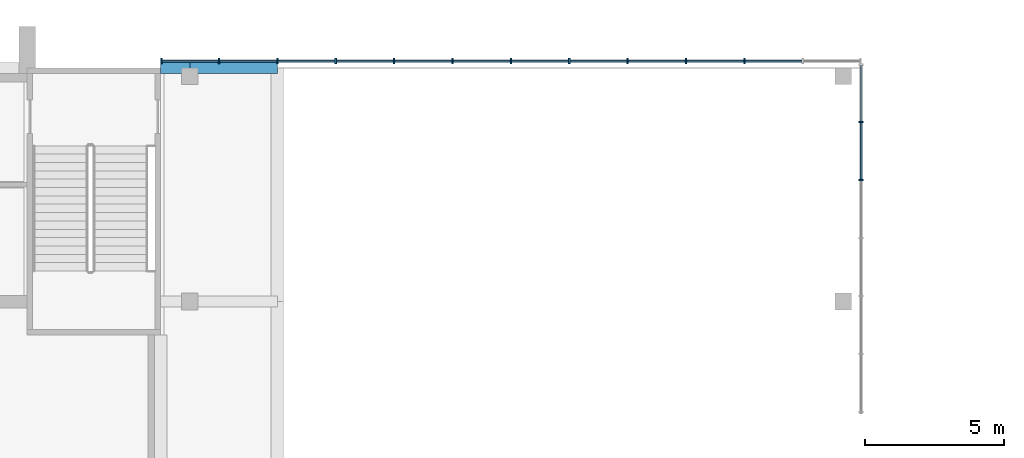
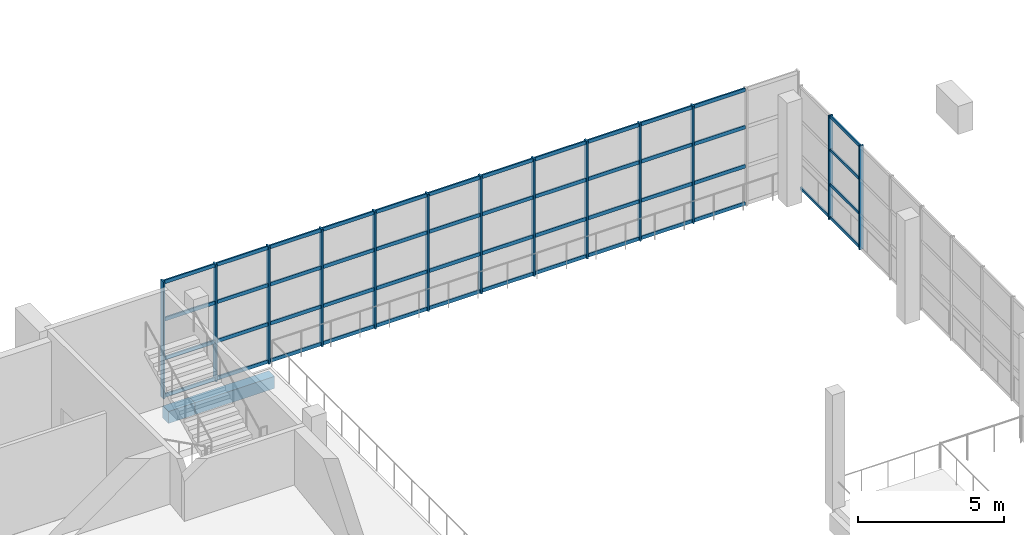
# One storey, part 24 of 67: 62 members, 2 beams, 2 elements without a shape of their own.
"""IFC4 building model written with IfcOpenShell, lengths in metres."""

from ifc_helpers import new_model, si_unit, direction, frame, origin, origin_2d, place, context, subcontext, project, spatial, rectangle, extrude, material, layer, layer_set, material_profile, profile_set, type_object, element, aggregate, save


model = new_model("IFC4")

# Units and contexts
model_context = context("Model", 3, precision=1e-05, world=origin(), true_north=direction((0.0, 1.0)))
body_context = subcontext(model_context, "Body", "Model", "MODEL_VIEW")
ifc_project = project(units=[si_unit("LENGTHUNIT", "METRE"), si_unit("AREAUNIT", "SQUARE_METRE"), si_unit("VOLUMEUNIT", "CUBIC_METRE"), si_unit("PLANEANGLEUNIT", "RADIAN"), si_unit("MASSUNIT", "GRAM", prefix="KILO")], contexts=[model_context])

# Site, building, storey
site_placement = place(None, origin())
site = spatial("IfcSite", under=ifc_project, at=site_placement, CompositionType="ELEMENT")
building_placement = place(site_placement, origin())
building = spatial("IfcBuilding", under=site, at=building_placement, Name="Kiln Court Media Centre", CompositionType="ELEMENT")
storey_placement = place(building_placement, frame((0.0, 0.0, 19.800048828125)))
storey = spatial("IfcBuildingStorey", under=building, at=storey_placement, Name="L04", CompositionType="ELEMENT", Elevation=19.800048828125)

# Curtain wall, members
ifc_material_1 = material(Name="Aluminium 6063-T6", Category="aluminium")
ifc_layer_1 = layer(ifc_material_1, 0.1201171875)
ifc_layer_set_1 = layer_set([ifc_layer_1], Name="Aluminium stick curtain wall, clerestory")
curtain_wall_type_1 = type_object("IfcCurtainWallType", Name="Aluminium stick curtain wall, clerestory", PredefinedType="USERDEFINED", material=ifc_layer_set_1)
curtain_wall_1_placement = place(storey_placement, origin())
curtain_wall_1 = element("IfcCurtainWall", 1, at=curtain_wall_1_placement, inside=storey, type_object=curtain_wall_type_1, Name="Foyer east clerestory", ObjectType="STICK CURTAIN WALL", PredefinedType="USERDEFINED")
ifc_material_2 = material(Name="Aluminium 6063-T6", Category="aluminium")
ifc_material_profile_1 = material_profile(ifc_material_2, rectangle(XDim=0.06005859375, YDim=0.159912109375, at=origin_2d()), Name="Aluminium hall mullion 60x160")
ifc_profile_set_1 = profile_set([ifc_material_profile_1], Name="Aluminium 6063-T6")
member_type_1 = type_object("IfcMemberType", Name="Aluminium hall mullion 60x160", PredefinedType="MULLION", material=ifc_profile_set_1)
member_1_placement = place(storey_placement, frame((58.800048828125, 63.170166015625, 0.0), z_axis=(0.0, 0.0, 1.0), x_axis=(0.0, 1.0, 0.0)))
member_1 = element("IfcMember", 2, at=member_1_placement, type_object=member_type_1, Name="CW4-63 mullion 15", PredefinedType="MULLION", context=body_context, shape_type="SweptSolid", body=[
    extrude(rectangle(XDim=0.06005859375, YDim=0.159912109375, at=origin_2d()), origin(), (0.0, 0.0, 1.0), 4.349853515625),
])
member_2_placement = place(storey_placement, frame((58.800048828125, 65.25732421875, 0.0), z_axis=(0.0, 0.0, 1.0), x_axis=(0.0, 1.0, 0.0)))
member_2 = element("IfcMember", 3, at=member_2_placement, type_object=member_type_1, Name="CW4-63 mullion 16", PredefinedType="MULLION", context=body_context, shape_type="SweptSolid", body=[
    extrude(rectangle(XDim=0.06005859375, YDim=0.159912109375, at=origin_2d()), origin(), (0.0, 0.0, 1.0), 4.349853515625),
])

ifc_material_3 = material(Name="Aluminium 6063-T6", Category="aluminium")
ifc_layer_2 = layer(ifc_material_3, 0.1201171875)
ifc_layer_set_2 = layer_set([ifc_layer_2], Name="Aluminium stick curtain wall, foyer")
curtain_wall_type_2 = type_object("IfcCurtainWallType", Name="Aluminium stick curtain wall, foyer", PredefinedType="USERDEFINED", material=ifc_layer_set_2)
curtain_wall_2_placement = place(storey_placement, origin())
curtain_wall_2 = element("IfcCurtainWall", 4, at=curtain_wall_2_placement, inside=storey, type_object=curtain_wall_type_2, Name="Foyer north glazing L04", ObjectType="STICK CURTAIN WALL", PredefinedType="USERDEFINED")
ifc_material_4 = material(Name="Aluminium 6063-T6", Category="aluminium")
ifc_material_profile_2 = material_profile(ifc_material_4, rectangle(XDim=0.06005859375, YDim=0.199951171875, at=origin_2d()), Name="Aluminium hall mullion 60x200")
ifc_profile_set_2 = profile_set([ifc_material_profile_2], Name="Aluminium 6063-T6")
member_type_2 = type_object("IfcMemberType", Name="Aluminium hall mullion 60x200", PredefinedType="MULLION", material=ifc_profile_set_2)
member_3_placement = place(storey_placement, frame((33.6298828125, 67.444580078125, 0.0), z_axis=(0.0, 0.0, 1.0), x_axis=(1.0, 0.0, 0.0)))
member_3 = element("IfcMember", 5, at=member_3_placement, type_object=member_type_2, Name="CW4-60 mullion 1", PredefinedType="MULLION", context=body_context, shape_type="SweptSolid", body=[
    extrude(rectangle(XDim=0.06005859375, YDim=0.199951171875, at=origin_2d()), origin(), (0.0, 0.0, 1.0), 4.908447265625),
])
member_4_placement = place(storey_placement, frame((35.699951171875, 67.444580078125, 0.0), z_axis=(0.0, 0.0, 1.0), x_axis=(1.0, 0.0, 0.0)))
member_4 = element("IfcMember", 6, at=member_4_placement, type_object=member_type_2, Name="CW4-60 mullion 2", PredefinedType="MULLION", context=body_context, shape_type="SweptSolid", body=[
    extrude(rectangle(XDim=0.06005859375, YDim=0.199951171875, at=origin_2d()), origin(), (0.0, 0.0, 1.0), 4.908447265625),
])
member_5_placement = place(storey_placement, frame((37.800048828125, 67.444580078125, 0.0), z_axis=(0.0, 0.0, 1.0), x_axis=(1.0, 0.0, 0.0)))
member_5 = element("IfcMember", 7, at=member_5_placement, type_object=member_type_2, Name="CW4-60 mullion 3", PredefinedType="MULLION", context=body_context, shape_type="SweptSolid", body=[
    extrude(rectangle(XDim=0.06005859375, YDim=0.199951171875, at=origin_2d()), origin(), (0.0, 0.0, 1.0), 4.908447265625),
])
member_6_placement = place(storey_placement, frame((39.89990234375, 67.444580078125, 0.0), z_axis=(0.0, 0.0, 1.0), x_axis=(1.0, 0.0, 0.0)))
member_6 = element("IfcMember", 8, at=member_6_placement, type_object=member_type_2, Name="CW4-60 mullion 4", PredefinedType="MULLION", context=body_context, shape_type="SweptSolid", body=[
    extrude(rectangle(XDim=0.06005859375, YDim=0.199951171875, at=origin_2d()), origin(), (0.0, 0.0, 1.0), 4.908447265625),
])
member_7_placement = place(storey_placement, frame((42.0, 67.444580078125, 0.0), z_axis=(0.0, 0.0, 1.0), x_axis=(1.0, 0.0, 0.0)))
member_7 = element("IfcMember", 9, at=member_7_placement, type_object=member_type_2, Name="CW4-60 mullion 5", PredefinedType="MULLION", context=body_context, shape_type="SweptSolid", body=[
    extrude(rectangle(XDim=0.06005859375, YDim=0.199951171875, at=origin_2d()), origin(), (0.0, 0.0, 1.0), 4.908447265625),
])
member_8_placement = place(storey_placement, frame((44.10009765625, 67.444580078125, 0.0), z_axis=(0.0, 0.0, 1.0), x_axis=(1.0, 0.0, 0.0)))
member_8 = element("IfcMember", 10, at=member_8_placement, type_object=member_type_2, Name="CW4-60 mullion 6", PredefinedType="MULLION", context=body_context, shape_type="SweptSolid", body=[
    extrude(rectangle(XDim=0.06005859375, YDim=0.199951171875, at=origin_2d()), origin(), (0.0, 0.0, 1.0), 4.908447265625),
])
member_9_placement = place(storey_placement, frame((46.199951171875, 67.444580078125, 0.0), z_axis=(0.0, 0.0, 1.0), x_axis=(1.0, 0.0, 0.0)))
member_9 = element("IfcMember", 11, at=member_9_placement, type_object=member_type_2, Name="CW4-60 mullion 7", PredefinedType="MULLION", context=body_context, shape_type="SweptSolid", body=[
    extrude(rectangle(XDim=0.06005859375, YDim=0.199951171875, at=origin_2d()), origin(), (0.0, 0.0, 1.0), 4.908447265625),
])
member_10_placement = place(storey_placement, frame((48.300048828125, 67.444580078125, 0.0), z_axis=(0.0, 0.0, 1.0), x_axis=(1.0, 0.0, 0.0)))
member_10 = element("IfcMember", 12, at=member_10_placement, type_object=member_type_2, Name="CW4-60 mullion 8", PredefinedType="MULLION", context=body_context, shape_type="SweptSolid", body=[
    extrude(rectangle(XDim=0.06005859375, YDim=0.199951171875, at=origin_2d()), origin(), (0.0, 0.0, 1.0), 4.908447265625),
])
member_11_placement = place(storey_placement, frame((50.39990234375, 67.444580078125, 0.0), z_axis=(0.0, 0.0, 1.0), x_axis=(1.0, 0.0, 0.0)))
member_11 = element("IfcMember", 13, at=member_11_placement, type_object=member_type_2, Name="CW4-60 mullion 9", PredefinedType="MULLION", context=body_context, shape_type="SweptSolid", body=[
    extrude(rectangle(XDim=0.06005859375, YDim=0.199951171875, at=origin_2d()), origin(), (0.0, 0.0, 1.0), 4.908447265625),
])
member_12_placement = place(storey_placement, frame((52.5, 67.444580078125, 0.0), z_axis=(0.0, 0.0, 1.0), x_axis=(1.0, 0.0, 0.0)))
member_12 = element("IfcMember", 14, at=member_12_placement, type_object=member_type_2, Name="CW4-60 mullion 10", PredefinedType="MULLION", context=body_context, shape_type="SweptSolid", body=[
    extrude(rectangle(XDim=0.06005859375, YDim=0.199951171875, at=origin_2d()), origin(), (0.0, 0.0, 1.0), 4.908447265625),
])
member_13_placement = place(storey_placement, frame((54.60009765625, 67.444580078125, 0.0), z_axis=(0.0, 0.0, 1.0), x_axis=(1.0, 0.0, 0.0)))
member_13 = element("IfcMember", 15, at=member_13_placement, type_object=member_type_2, Name="CW4-60 mullion 11", PredefinedType="MULLION", context=body_context, shape_type="SweptSolid", body=[
    extrude(rectangle(XDim=0.06005859375, YDim=0.199951171875, at=origin_2d()), origin(), (0.0, 0.0, 1.0), 4.908447265625),
])

# Member
ifc_material_5 = material(Name="Aluminium 6063-T6", Category="aluminium")
ifc_material_profile_3 = material_profile(ifc_material_5, rectangle(XDim=0.06005859375, YDim=0.1201171875, at=origin_2d()), Name="Aluminium hall transom 60x120")
ifc_profile_set_3 = profile_set([ifc_material_profile_3], Name="Aluminium 6063-T6")
member_type_3 = type_object("IfcMemberType", Name="Aluminium hall transom 60x120", PredefinedType="USERDEFINED", material=ifc_profile_set_3)
member_14_placement = place(storey_placement, frame((58.800048828125, 63.2001953125, 0.06005859375), z_axis=(0.0, 1.0, 0.0), x_axis=(-1.0, 0.0, 0.0)))
member_14 = element("IfcMember", 16, at=member_14_placement, type_object=member_type_3, Name="CW4-63 transom 15.1", ObjectType="TRANSOM", PredefinedType="USERDEFINED", context=body_context, shape_type="SweptSolid", body=[
    extrude(rectangle(XDim=0.06005859375, YDim=0.1201171875, at=origin_2d()), origin(), (0.0, 0.0, 1.0), 2.027099609375),
])

member_15_placement = place(storey_placement, frame((58.800048828125, 63.2001953125, 1.449951171875), z_axis=(0.0, 1.0, 0.0), x_axis=(-1.0, 0.0, 0.0)))
member_15 = element("IfcMember", 17, at=member_15_placement, type_object=member_type_3, Name="CW4-63 transom 15.2", ObjectType="TRANSOM", PredefinedType="USERDEFINED", context=body_context, shape_type="SweptSolid", body=[
    extrude(rectangle(XDim=0.06005859375, YDim=0.1201171875, at=origin_2d()), origin(), (0.0, 0.0, 1.0), 2.027099609375),
])

member_16_placement = place(storey_placement, frame((58.800048828125, 63.2001953125, 2.89990234375), z_axis=(0.0, 1.0, 0.0), x_axis=(-1.0, 0.0, 0.0)))
member_16 = element("IfcMember", 18, at=member_16_placement, type_object=member_type_3, Name="CW4-63 transom 15.3", ObjectType="TRANSOM", PredefinedType="USERDEFINED", context=body_context, shape_type="SweptSolid", body=[
    extrude(rectangle(XDim=0.06005859375, YDim=0.1201171875, at=origin_2d()), origin(), (0.0, 0.0, 1.0), 2.027099609375),
])

member_17_placement = place(storey_placement, frame((58.800048828125, 63.2001953125, 4.2900390625), z_axis=(0.0, 1.0, 0.0), x_axis=(-1.0, 0.0, 0.0)))
member_17 = element("IfcMember", 19, at=member_17_placement, type_object=member_type_3, Name="CW4-63 transom 15.4", ObjectType="TRANSOM", PredefinedType="USERDEFINED", context=body_context, shape_type="SweptSolid", body=[
    extrude(rectangle(XDim=0.06005859375, YDim=0.1201171875, at=origin_2d()), origin(), (0.0, 0.0, 1.0), 2.027099609375),
])

member_18_placement = place(storey_placement, frame((58.800048828125, 65.287353515625, 0.06005859375), z_axis=(0.0, 1.0, 0.0), x_axis=(-1.0, 0.0, 0.0)))
member_18 = element("IfcMember", 20, at=member_18_placement, type_object=member_type_3, Name="CW4-63 transom 16.1", ObjectType="TRANSOM", PredefinedType="USERDEFINED", context=body_context, shape_type="SweptSolid", body=[
    extrude(rectangle(XDim=0.06005859375, YDim=0.1201171875, at=origin_2d()), origin(), (0.0, 0.0, 1.0), 1.9970703125),
])

aggregate(curtain_wall_1, [member_1, member_2, member_14, member_15, member_16, member_17, member_18])

ifc_material_6 = material(Name="Aluminium 6063-T6", Category="aluminium")
ifc_material_profile_4 = material_profile(ifc_material_6, rectangle(XDim=0.06005859375, YDim=0.14990234375, at=origin_2d()), Name="Aluminium hall transom 60x150")
ifc_profile_set_4 = profile_set([ifc_material_profile_4], Name="Aluminium 6063-T6")
member_type_4 = type_object("IfcMemberType", Name="Aluminium hall transom 60x150", PredefinedType="USERDEFINED", material=ifc_profile_set_4)
member_19_placement = place(storey_placement, frame((33.659912109375, 67.444580078125, 0.074951171875), z_axis=(1.0, 0.0, 0.0), x_axis=(0.0, 1.0, 0.0)))
member_19 = element("IfcMember", 21, at=member_19_placement, type_object=member_type_4, Name="CW4-60 transom 1.1", ObjectType="TRANSOM", PredefinedType="USERDEFINED", context=body_context, shape_type="SweptSolid", body=[
    extrude(rectangle(XDim=0.06005859375, YDim=0.14990234375, at=origin_2d()), origin(), (0.0, 0.0, 1.0), 2.010009765625),
])

member_20_placement = place(storey_placement, frame((33.659912109375, 67.444580078125, 1.63623046875), z_axis=(1.0, 0.0, 0.0), x_axis=(0.0, 1.0, 0.0)))
member_20 = element("IfcMember", 22, at=member_20_placement, type_object=member_type_4, Name="CW4-60 transom 1.2", ObjectType="TRANSOM", PredefinedType="USERDEFINED", context=body_context, shape_type="SweptSolid", body=[
    extrude(rectangle(XDim=0.06005859375, YDim=0.14990234375, at=origin_2d()), origin(), (0.0, 0.0, 1.0), 2.010009765625),
])

member_21_placement = place(storey_placement, frame((33.659912109375, 67.444580078125, 3.272216796875), z_axis=(1.0, 0.0, 0.0), x_axis=(0.0, 1.0, 0.0)))
member_21 = element("IfcMember", 23, at=member_21_placement, type_object=member_type_4, Name="CW4-60 transom 1.3", ObjectType="TRANSOM", PredefinedType="USERDEFINED", context=body_context, shape_type="SweptSolid", body=[
    extrude(rectangle(XDim=0.06005859375, YDim=0.14990234375, at=origin_2d()), origin(), (0.0, 0.0, 1.0), 2.010009765625),
])

member_22_placement = place(storey_placement, frame((33.659912109375, 67.444580078125, 4.83349609375), z_axis=(1.0, 0.0, 0.0), x_axis=(0.0, 1.0, 0.0)))
member_22 = element("IfcMember", 24, at=member_22_placement, type_object=member_type_4, Name="CW4-60 transom 1.4", ObjectType="TRANSOM", PredefinedType="USERDEFINED", context=body_context, shape_type="SweptSolid", body=[
    extrude(rectangle(XDim=0.06005859375, YDim=0.14990234375, at=origin_2d()), origin(), (0.0, 0.0, 1.0), 2.010009765625),
])

member_23_placement = place(storey_placement, frame((35.72998046875, 67.444580078125, 0.074951171875), z_axis=(1.0, 0.0, 0.0), x_axis=(0.0, 1.0, 0.0)))
member_23 = element("IfcMember", 25, at=member_23_placement, type_object=member_type_4, Name="CW4-60 transom 2.1", ObjectType="TRANSOM", PredefinedType="USERDEFINED", context=body_context, shape_type="SweptSolid", body=[
    extrude(rectangle(XDim=0.06005859375, YDim=0.14990234375, at=origin_2d()), origin(), (0.0, 0.0, 1.0), 2.0400390625),
])

member_24_placement = place(storey_placement, frame((35.72998046875, 67.444580078125, 1.63623046875), z_axis=(1.0, 0.0, 0.0), x_axis=(0.0, 1.0, 0.0)))
member_24 = element("IfcMember", 26, at=member_24_placement, type_object=member_type_4, Name="CW4-60 transom 2.2", ObjectType="TRANSOM", PredefinedType="USERDEFINED", context=body_context, shape_type="SweptSolid", body=[
    extrude(rectangle(XDim=0.06005859375, YDim=0.14990234375, at=origin_2d()), origin(), (0.0, 0.0, 1.0), 2.0400390625),
])

member_25_placement = place(storey_placement, frame((35.72998046875, 67.444580078125, 3.272216796875), z_axis=(1.0, 0.0, 0.0), x_axis=(0.0, 1.0, 0.0)))
member_25 = element("IfcMember", 27, at=member_25_placement, type_object=member_type_4, Name="CW4-60 transom 2.3", ObjectType="TRANSOM", PredefinedType="USERDEFINED", context=body_context, shape_type="SweptSolid", body=[
    extrude(rectangle(XDim=0.06005859375, YDim=0.14990234375, at=origin_2d()), origin(), (0.0, 0.0, 1.0), 2.0400390625),
])

member_26_placement = place(storey_placement, frame((35.72998046875, 67.444580078125, 4.83349609375), z_axis=(1.0, 0.0, 0.0), x_axis=(0.0, 1.0, 0.0)))
member_26 = element("IfcMember", 28, at=member_26_placement, type_object=member_type_4, Name="CW4-60 transom 2.4", ObjectType="TRANSOM", PredefinedType="USERDEFINED", context=body_context, shape_type="SweptSolid", body=[
    extrude(rectangle(XDim=0.06005859375, YDim=0.14990234375, at=origin_2d()), origin(), (0.0, 0.0, 1.0), 2.0400390625),
])

member_27_placement = place(storey_placement, frame((37.830078125, 67.444580078125, 0.074951171875), z_axis=(1.0, 0.0, 0.0), x_axis=(0.0, 1.0, 0.0)))
member_27 = element("IfcMember", 29, at=member_27_placement, type_object=member_type_4, Name="CW4-60 transom 3.1", ObjectType="TRANSOM", PredefinedType="USERDEFINED", context=body_context, shape_type="SweptSolid", body=[
    extrude(rectangle(XDim=0.06005859375, YDim=0.14990234375, at=origin_2d()), origin(), (0.0, 0.0, 1.0), 2.0400390625),
])

member_28_placement = place(storey_placement, frame((37.830078125, 67.444580078125, 1.63623046875), z_axis=(1.0, 0.0, 0.0), x_axis=(0.0, 1.0, 0.0)))
member_28 = element("IfcMember", 30, at=member_28_placement, type_object=member_type_4, Name="CW4-60 transom 3.2", ObjectType="TRANSOM", PredefinedType="USERDEFINED", context=body_context, shape_type="SweptSolid", body=[
    extrude(rectangle(XDim=0.06005859375, YDim=0.14990234375, at=origin_2d()), origin(), (0.0, 0.0, 1.0), 2.0400390625),
])

member_29_placement = place(storey_placement, frame((37.830078125, 67.444580078125, 3.272216796875), z_axis=(1.0, 0.0, 0.0), x_axis=(0.0, 1.0, 0.0)))
member_29 = element("IfcMember", 31, at=member_29_placement, type_object=member_type_4, Name="CW4-60 transom 3.3", ObjectType="TRANSOM", PredefinedType="USERDEFINED", context=body_context, shape_type="SweptSolid", body=[
    extrude(rectangle(XDim=0.06005859375, YDim=0.14990234375, at=origin_2d()), origin(), (0.0, 0.0, 1.0), 2.0400390625),
])

member_30_placement = place(storey_placement, frame((37.830078125, 67.444580078125, 4.83349609375), z_axis=(1.0, 0.0, 0.0), x_axis=(0.0, 1.0, 0.0)))
member_30 = element("IfcMember", 32, at=member_30_placement, type_object=member_type_4, Name="CW4-60 transom 3.4", ObjectType="TRANSOM", PredefinedType="USERDEFINED", context=body_context, shape_type="SweptSolid", body=[
    extrude(rectangle(XDim=0.06005859375, YDim=0.14990234375, at=origin_2d()), origin(), (0.0, 0.0, 1.0), 2.0400390625),
])

member_31_placement = place(storey_placement, frame((39.929931640625, 67.444580078125, 0.074951171875), z_axis=(1.0, 0.0, 0.0), x_axis=(0.0, 1.0, 0.0)))
member_31 = element("IfcMember", 33, at=member_31_placement, type_object=member_type_4, Name="CW4-60 transom 4.1", ObjectType="TRANSOM", PredefinedType="USERDEFINED", context=body_context, shape_type="SweptSolid", body=[
    extrude(rectangle(XDim=0.06005859375, YDim=0.14990234375, at=origin_2d()), origin(), (0.0, 0.0, 1.0), 2.0400390625),
])

member_32_placement = place(storey_placement, frame((39.929931640625, 67.444580078125, 1.63623046875), z_axis=(1.0, 0.0, 0.0), x_axis=(0.0, 1.0, 0.0)))
member_32 = element("IfcMember", 34, at=member_32_placement, type_object=member_type_4, Name="CW4-60 transom 4.2", ObjectType="TRANSOM", PredefinedType="USERDEFINED", context=body_context, shape_type="SweptSolid", body=[
    extrude(rectangle(XDim=0.06005859375, YDim=0.14990234375, at=origin_2d()), origin(), (0.0, 0.0, 1.0), 2.0400390625),
])

member_33_placement = place(storey_placement, frame((39.929931640625, 67.444580078125, 3.272216796875), z_axis=(1.0, 0.0, 0.0), x_axis=(0.0, 1.0, 0.0)))
member_33 = element("IfcMember", 35, at=member_33_placement, type_object=member_type_4, Name="CW4-60 transom 4.3", ObjectType="TRANSOM", PredefinedType="USERDEFINED", context=body_context, shape_type="SweptSolid", body=[
    extrude(rectangle(XDim=0.06005859375, YDim=0.14990234375, at=origin_2d()), origin(), (0.0, 0.0, 1.0), 2.0400390625),
])

member_34_placement = place(storey_placement, frame((39.929931640625, 67.444580078125, 4.83349609375), z_axis=(1.0, 0.0, 0.0), x_axis=(0.0, 1.0, 0.0)))
member_34 = element("IfcMember", 36, at=member_34_placement, type_object=member_type_4, Name="CW4-60 transom 4.4", ObjectType="TRANSOM", PredefinedType="USERDEFINED", context=body_context, shape_type="SweptSolid", body=[
    extrude(rectangle(XDim=0.06005859375, YDim=0.14990234375, at=origin_2d()), origin(), (0.0, 0.0, 1.0), 2.0400390625),
])

member_35_placement = place(storey_placement, frame((42.030029296875, 67.444580078125, 0.074951171875), z_axis=(1.0, 0.0, 0.0), x_axis=(0.0, 1.0, 0.0)))
member_35 = element("IfcMember", 37, at=member_35_placement, type_object=member_type_4, Name="CW4-60 transom 5.1", ObjectType="TRANSOM", PredefinedType="USERDEFINED", context=body_context, shape_type="SweptSolid", body=[
    extrude(rectangle(XDim=0.06005859375, YDim=0.14990234375, at=origin_2d()), origin(), (0.0, 0.0, 1.0), 2.0400390625),
])

member_36_placement = place(storey_placement, frame((42.030029296875, 67.444580078125, 1.63623046875), z_axis=(1.0, 0.0, 0.0), x_axis=(0.0, 1.0, 0.0)))
member_36 = element("IfcMember", 38, at=member_36_placement, type_object=member_type_4, Name="CW4-60 transom 5.2", ObjectType="TRANSOM", PredefinedType="USERDEFINED", context=body_context, shape_type="SweptSolid", body=[
    extrude(rectangle(XDim=0.06005859375, YDim=0.14990234375, at=origin_2d()), origin(), (0.0, 0.0, 1.0), 2.0400390625),
])

member_37_placement = place(storey_placement, frame((42.030029296875, 67.444580078125, 3.272216796875), z_axis=(1.0, 0.0, 0.0), x_axis=(0.0, 1.0, 0.0)))
member_37 = element("IfcMember", 39, at=member_37_placement, type_object=member_type_4, Name="CW4-60 transom 5.3", ObjectType="TRANSOM", PredefinedType="USERDEFINED", context=body_context, shape_type="SweptSolid", body=[
    extrude(rectangle(XDim=0.06005859375, YDim=0.14990234375, at=origin_2d()), origin(), (0.0, 0.0, 1.0), 2.0400390625),
])

member_38_placement = place(storey_placement, frame((42.030029296875, 67.444580078125, 4.83349609375), z_axis=(1.0, 0.0, 0.0), x_axis=(0.0, 1.0, 0.0)))
member_38 = element("IfcMember", 40, at=member_38_placement, type_object=member_type_4, Name="CW4-60 transom 5.4", ObjectType="TRANSOM", PredefinedType="USERDEFINED", context=body_context, shape_type="SweptSolid", body=[
    extrude(rectangle(XDim=0.06005859375, YDim=0.14990234375, at=origin_2d()), origin(), (0.0, 0.0, 1.0), 2.0400390625),
])

member_39_placement = place(storey_placement, frame((44.1298828125, 67.444580078125, 0.074951171875), z_axis=(1.0, 0.0, 0.0), x_axis=(0.0, 1.0, 0.0)))
member_39 = element("IfcMember", 41, at=member_39_placement, type_object=member_type_4, Name="CW4-60 transom 6.1", ObjectType="TRANSOM", PredefinedType="USERDEFINED", context=body_context, shape_type="SweptSolid", body=[
    extrude(rectangle(XDim=0.06005859375, YDim=0.14990234375, at=origin_2d()), origin(), (0.0, 0.0, 1.0), 2.0400390625),
])

member_40_placement = place(storey_placement, frame((44.1298828125, 67.444580078125, 1.63623046875), z_axis=(1.0, 0.0, 0.0), x_axis=(0.0, 1.0, 0.0)))
member_40 = element("IfcMember", 42, at=member_40_placement, type_object=member_type_4, Name="CW4-60 transom 6.2", ObjectType="TRANSOM", PredefinedType="USERDEFINED", context=body_context, shape_type="SweptSolid", body=[
    extrude(rectangle(XDim=0.06005859375, YDim=0.14990234375, at=origin_2d()), origin(), (0.0, 0.0, 1.0), 2.0400390625),
])

member_41_placement = place(storey_placement, frame((44.1298828125, 67.444580078125, 3.272216796875), z_axis=(1.0, 0.0, 0.0), x_axis=(0.0, 1.0, 0.0)))
member_41 = element("IfcMember", 43, at=member_41_placement, type_object=member_type_4, Name="CW4-60 transom 6.3", ObjectType="TRANSOM", PredefinedType="USERDEFINED", context=body_context, shape_type="SweptSolid", body=[
    extrude(rectangle(XDim=0.06005859375, YDim=0.14990234375, at=origin_2d()), origin(), (0.0, 0.0, 1.0), 2.0400390625),
])

member_42_placement = place(storey_placement, frame((44.1298828125, 67.444580078125, 4.83349609375), z_axis=(1.0, 0.0, 0.0), x_axis=(0.0, 1.0, 0.0)))
member_42 = element("IfcMember", 44, at=member_42_placement, type_object=member_type_4, Name="CW4-60 transom 6.4", ObjectType="TRANSOM", PredefinedType="USERDEFINED", context=body_context, shape_type="SweptSolid", body=[
    extrude(rectangle(XDim=0.06005859375, YDim=0.14990234375, at=origin_2d()), origin(), (0.0, 0.0, 1.0), 2.0400390625),
])

member_43_placement = place(storey_placement, frame((46.22998046875, 67.444580078125, 0.074951171875), z_axis=(1.0, 0.0, 0.0), x_axis=(0.0, 1.0, 0.0)))
member_43 = element("IfcMember", 45, at=member_43_placement, type_object=member_type_4, Name="CW4-60 transom 7.1", ObjectType="TRANSOM", PredefinedType="USERDEFINED", context=body_context, shape_type="SweptSolid", body=[
    extrude(rectangle(XDim=0.06005859375, YDim=0.14990234375, at=origin_2d()), origin(), (0.0, 0.0, 1.0), 2.0400390625),
])

member_44_placement = place(storey_placement, frame((46.22998046875, 67.444580078125, 1.63623046875), z_axis=(1.0, 0.0, 0.0), x_axis=(0.0, 1.0, 0.0)))
member_44 = element("IfcMember", 46, at=member_44_placement, type_object=member_type_4, Name="CW4-60 transom 7.2", ObjectType="TRANSOM", PredefinedType="USERDEFINED", context=body_context, shape_type="SweptSolid", body=[
    extrude(rectangle(XDim=0.06005859375, YDim=0.14990234375, at=origin_2d()), origin(), (0.0, 0.0, 1.0), 2.0400390625),
])

member_45_placement = place(storey_placement, frame((46.22998046875, 67.444580078125, 3.272216796875), z_axis=(1.0, 0.0, 0.0), x_axis=(0.0, 1.0, 0.0)))
member_45 = element("IfcMember", 47, at=member_45_placement, type_object=member_type_4, Name="CW4-60 transom 7.3", ObjectType="TRANSOM", PredefinedType="USERDEFINED", context=body_context, shape_type="SweptSolid", body=[
    extrude(rectangle(XDim=0.06005859375, YDim=0.14990234375, at=origin_2d()), origin(), (0.0, 0.0, 1.0), 2.0400390625),
])

member_46_placement = place(storey_placement, frame((46.22998046875, 67.444580078125, 4.83349609375), z_axis=(1.0, 0.0, 0.0), x_axis=(0.0, 1.0, 0.0)))
member_46 = element("IfcMember", 48, at=member_46_placement, type_object=member_type_4, Name="CW4-60 transom 7.4", ObjectType="TRANSOM", PredefinedType="USERDEFINED", context=body_context, shape_type="SweptSolid", body=[
    extrude(rectangle(XDim=0.06005859375, YDim=0.14990234375, at=origin_2d()), origin(), (0.0, 0.0, 1.0), 2.0400390625),
])

member_47_placement = place(storey_placement, frame((48.330078125, 67.444580078125, 0.074951171875), z_axis=(1.0, 0.0, 0.0), x_axis=(0.0, 1.0, 0.0)))
member_47 = element("IfcMember", 49, at=member_47_placement, type_object=member_type_4, Name="CW4-60 transom 8.1", ObjectType="TRANSOM", PredefinedType="USERDEFINED", context=body_context, shape_type="SweptSolid", body=[
    extrude(rectangle(XDim=0.06005859375, YDim=0.14990234375, at=origin_2d()), origin(), (0.0, 0.0, 1.0), 2.0400390625),
])

member_48_placement = place(storey_placement, frame((48.330078125, 67.444580078125, 1.63623046875), z_axis=(1.0, 0.0, 0.0), x_axis=(0.0, 1.0, 0.0)))
member_48 = element("IfcMember", 50, at=member_48_placement, type_object=member_type_4, Name="CW4-60 transom 8.2", ObjectType="TRANSOM", PredefinedType="USERDEFINED", context=body_context, shape_type="SweptSolid", body=[
    extrude(rectangle(XDim=0.06005859375, YDim=0.14990234375, at=origin_2d()), origin(), (0.0, 0.0, 1.0), 2.0400390625),
])

member_49_placement = place(storey_placement, frame((48.330078125, 67.444580078125, 3.272216796875), z_axis=(1.0, 0.0, 0.0), x_axis=(0.0, 1.0, 0.0)))
member_49 = element("IfcMember", 51, at=member_49_placement, type_object=member_type_4, Name="CW4-60 transom 8.3", ObjectType="TRANSOM", PredefinedType="USERDEFINED", context=body_context, shape_type="SweptSolid", body=[
    extrude(rectangle(XDim=0.06005859375, YDim=0.14990234375, at=origin_2d()), origin(), (0.0, 0.0, 1.0), 2.0400390625),
])

member_50_placement = place(storey_placement, frame((48.330078125, 67.444580078125, 4.83349609375), z_axis=(1.0, 0.0, 0.0), x_axis=(0.0, 1.0, 0.0)))
member_50 = element("IfcMember", 52, at=member_50_placement, type_object=member_type_4, Name="CW4-60 transom 8.4", ObjectType="TRANSOM", PredefinedType="USERDEFINED", context=body_context, shape_type="SweptSolid", body=[
    extrude(rectangle(XDim=0.06005859375, YDim=0.14990234375, at=origin_2d()), origin(), (0.0, 0.0, 1.0), 2.0400390625),
])

member_51_placement = place(storey_placement, frame((50.429931640625, 67.444580078125, 0.074951171875), z_axis=(1.0, 0.0, 0.0), x_axis=(0.0, 1.0, 0.0)))
member_51 = element("IfcMember", 53, at=member_51_placement, type_object=member_type_4, Name="CW4-60 transom 9.1", ObjectType="TRANSOM", PredefinedType="USERDEFINED", context=body_context, shape_type="SweptSolid", body=[
    extrude(rectangle(XDim=0.06005859375, YDim=0.14990234375, at=origin_2d()), origin(), (0.0, 0.0, 1.0), 2.0400390625),
])

member_52_placement = place(storey_placement, frame((50.429931640625, 67.444580078125, 1.63623046875), z_axis=(1.0, 0.0, 0.0), x_axis=(0.0, 1.0, 0.0)))
member_52 = element("IfcMember", 54, at=member_52_placement, type_object=member_type_4, Name="CW4-60 transom 9.2", ObjectType="TRANSOM", PredefinedType="USERDEFINED", context=body_context, shape_type="SweptSolid", body=[
    extrude(rectangle(XDim=0.06005859375, YDim=0.14990234375, at=origin_2d()), origin(), (0.0, 0.0, 1.0), 2.0400390625),
])

member_53_placement = place(storey_placement, frame((50.429931640625, 67.444580078125, 3.272216796875), z_axis=(1.0, 0.0, 0.0), x_axis=(0.0, 1.0, 0.0)))
member_53 = element("IfcMember", 55, at=member_53_placement, type_object=member_type_4, Name="CW4-60 transom 9.3", ObjectType="TRANSOM", PredefinedType="USERDEFINED", context=body_context, shape_type="SweptSolid", body=[
    extrude(rectangle(XDim=0.06005859375, YDim=0.14990234375, at=origin_2d()), origin(), (0.0, 0.0, 1.0), 2.0400390625),
])

member_54_placement = place(storey_placement, frame((50.429931640625, 67.444580078125, 4.83349609375), z_axis=(1.0, 0.0, 0.0), x_axis=(0.0, 1.0, 0.0)))
member_54 = element("IfcMember", 56, at=member_54_placement, type_object=member_type_4, Name="CW4-60 transom 9.4", ObjectType="TRANSOM", PredefinedType="USERDEFINED", context=body_context, shape_type="SweptSolid", body=[
    extrude(rectangle(XDim=0.06005859375, YDim=0.14990234375, at=origin_2d()), origin(), (0.0, 0.0, 1.0), 2.0400390625),
])

member_55_placement = place(storey_placement, frame((52.530029296875, 67.444580078125, 0.074951171875), z_axis=(1.0, 0.0, 0.0), x_axis=(0.0, 1.0, 0.0)))
member_55 = element("IfcMember", 57, at=member_55_placement, type_object=member_type_4, Name="CW4-60 transom 10.1", ObjectType="TRANSOM", PredefinedType="USERDEFINED", context=body_context, shape_type="SweptSolid", body=[
    extrude(rectangle(XDim=0.06005859375, YDim=0.14990234375, at=origin_2d()), origin(), (0.0, 0.0, 1.0), 2.0400390625),
])

member_56_placement = place(storey_placement, frame((52.530029296875, 67.444580078125, 1.63623046875), z_axis=(1.0, 0.0, 0.0), x_axis=(0.0, 1.0, 0.0)))
member_56 = element("IfcMember", 58, at=member_56_placement, type_object=member_type_4, Name="CW4-60 transom 10.2", ObjectType="TRANSOM", PredefinedType="USERDEFINED", context=body_context, shape_type="SweptSolid", body=[
    extrude(rectangle(XDim=0.06005859375, YDim=0.14990234375, at=origin_2d()), origin(), (0.0, 0.0, 1.0), 2.0400390625),
])

member_57_placement = place(storey_placement, frame((52.530029296875, 67.444580078125, 3.272216796875), z_axis=(1.0, 0.0, 0.0), x_axis=(0.0, 1.0, 0.0)))
member_57 = element("IfcMember", 59, at=member_57_placement, type_object=member_type_4, Name="CW4-60 transom 10.3", ObjectType="TRANSOM", PredefinedType="USERDEFINED", context=body_context, shape_type="SweptSolid", body=[
    extrude(rectangle(XDim=0.06005859375, YDim=0.14990234375, at=origin_2d()), origin(), (0.0, 0.0, 1.0), 2.0400390625),
])

member_58_placement = place(storey_placement, frame((52.530029296875, 67.444580078125, 4.83349609375), z_axis=(1.0, 0.0, 0.0), x_axis=(0.0, 1.0, 0.0)))
member_58 = element("IfcMember", 60, at=member_58_placement, type_object=member_type_4, Name="CW4-60 transom 10.4", ObjectType="TRANSOM", PredefinedType="USERDEFINED", context=body_context, shape_type="SweptSolid", body=[
    extrude(rectangle(XDim=0.06005859375, YDim=0.14990234375, at=origin_2d()), origin(), (0.0, 0.0, 1.0), 2.0400390625),
])

member_59_placement = place(storey_placement, frame((54.6298828125, 67.444580078125, 0.074951171875), z_axis=(1.0, 0.0, 0.0), x_axis=(0.0, 1.0, 0.0)))
member_59 = element("IfcMember", 61, at=member_59_placement, type_object=member_type_4, Name="CW4-60 transom 11.1", ObjectType="TRANSOM", PredefinedType="USERDEFINED", context=body_context, shape_type="SweptSolid", body=[
    extrude(rectangle(XDim=0.06005859375, YDim=0.14990234375, at=origin_2d()), origin(), (0.0, 0.0, 1.0), 2.0400390625),
])

member_60_placement = place(storey_placement, frame((54.6298828125, 67.444580078125, 1.63623046875), z_axis=(1.0, 0.0, 0.0), x_axis=(0.0, 1.0, 0.0)))
member_60 = element("IfcMember", 62, at=member_60_placement, type_object=member_type_4, Name="CW4-60 transom 11.2", ObjectType="TRANSOM", PredefinedType="USERDEFINED", context=body_context, shape_type="SweptSolid", body=[
    extrude(rectangle(XDim=0.06005859375, YDim=0.14990234375, at=origin_2d()), origin(), (0.0, 0.0, 1.0), 2.0400390625),
])

member_61_placement = place(storey_placement, frame((54.6298828125, 67.444580078125, 3.272216796875), z_axis=(1.0, 0.0, 0.0), x_axis=(0.0, 1.0, 0.0)))
member_61 = element("IfcMember", 63, at=member_61_placement, type_object=member_type_4, Name="CW4-60 transom 11.3", ObjectType="TRANSOM", PredefinedType="USERDEFINED", context=body_context, shape_type="SweptSolid", body=[
    extrude(rectangle(XDim=0.06005859375, YDim=0.14990234375, at=origin_2d()), origin(), (0.0, 0.0, 1.0), 2.0400390625),
])

member_62_placement = place(storey_placement, frame((54.6298828125, 67.444580078125, 4.83349609375), z_axis=(1.0, 0.0, 0.0), x_axis=(0.0, 1.0, 0.0)))
member_62 = element("IfcMember", 64, at=member_62_placement, type_object=member_type_4, Name="CW4-60 transom 11.4", ObjectType="TRANSOM", PredefinedType="USERDEFINED", context=body_context, shape_type="SweptSolid", body=[
    extrude(rectangle(XDim=0.06005859375, YDim=0.14990234375, at=origin_2d()), origin(), (0.0, 0.0, 1.0), 2.0400390625),
])

aggregate(curtain_wall_2, [member_3, member_4, member_5, member_6, member_7, member_8, member_9, member_10, member_11, member_12, member_13, member_19, member_20, member_21, member_22, member_23, member_24, member_25, member_26, member_27, member_28, member_29, member_30, member_31, member_32, member_33, member_34, member_35, member_36, member_37, member_38, member_39, member_40, member_41, member_42, member_43, member_44, member_45, member_46, member_47, member_48, member_49, member_50, member_51, member_52, member_53, member_54, member_55, member_56, member_57, member_58, member_59, member_60, member_61, member_62])

# Beams
ifc_material_7 = material(Name="Concrete C30/37", Category="concrete")
ifc_material_profile_5 = material_profile(ifc_material_7, rectangle(XDim=0.39990234375, YDim=0.5, at=origin_2d()), Name="RC 400x500")
ifc_profile_set_5 = profile_set([ifc_material_profile_5], Name="Concrete C30/37")
beam_type = type_object("IfcBeamType", Name="Concrete C30/37 beam 400x500", PredefinedType="BEAM", material=ifc_profile_set_5)
beam_1_placement = place(storey_placement, frame((33.60009765625, 67.199951171875, -0.550048828125), z_axis=(1.0, 0.0, 0.0), x_axis=(0.0, 1.0, 0.0)))
element("IfcBeam", 65, at=beam_1_placement, inside=storey, type_object=beam_type, Name="L04-B-1106", PredefinedType="BEAM", context=body_context, shape_type="SweptSolid", body=[
    extrude(rectangle(XDim=0.39990234375, YDim=0.5, at=origin_2d()), origin(), (0.0, 0.0, 1.0), 1.0498046875),
])
beam_2_placement = place(storey_placement, frame((34.64990234375, 67.199951171875, -0.550048828125), z_axis=(1.0, 0.0, 0.0), x_axis=(0.0, 1.0, 0.0)))
element("IfcBeam", 66, at=beam_2_placement, inside=storey, type_object=beam_type, Name="L04-B-1107", PredefinedType="BEAM", context=body_context, shape_type="SweptSolid", body=[
    extrude(rectangle(XDim=0.39990234375, YDim=0.5, at=origin_2d()), origin(), (0.0, 0.0, 1.0), 3.150146484375),
])

save(model, "model.ifc")
